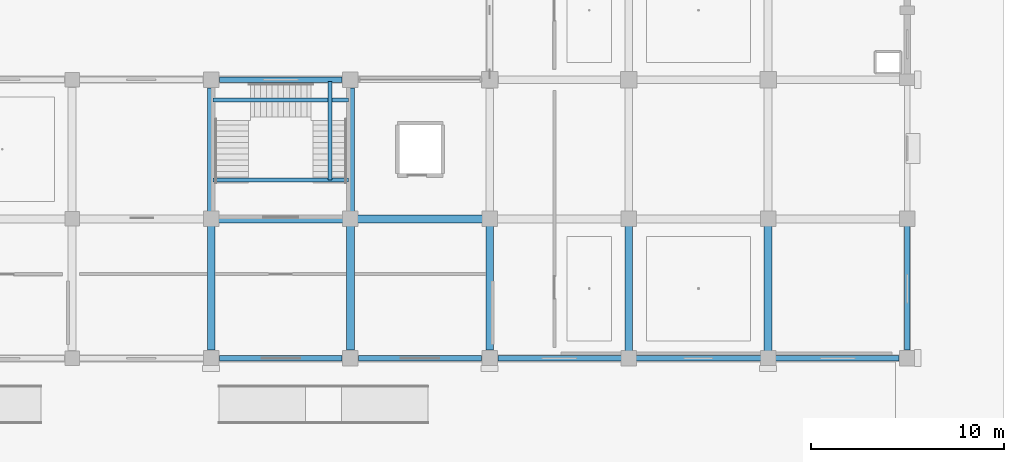
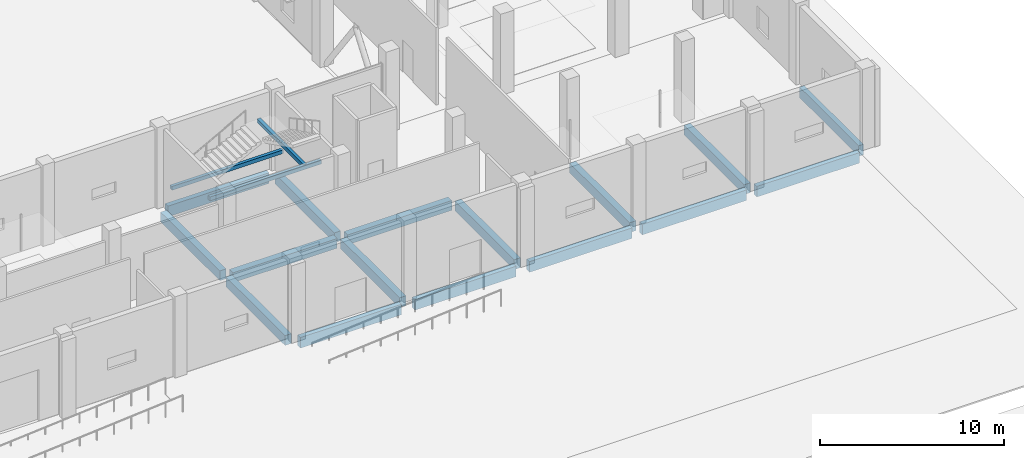
# One storey, part 37 of 90: 19 beams.
"""IFC4 building model written with IfcOpenShell, lengths in metres."""

from ifc_helpers import new_model, si_unit, direction, frame, origin, origin_2d, place, context, subcontext, project, spatial, rectangle, extrude, material, material_profile, profile_set, type_object, element, save


model = new_model("IFC4")

# Units and contexts
model_context = context("Model", 3, precision=1e-05, world=origin(), true_north=direction((0.0, 1.0)))
body_context = subcontext(model_context, "Body", "Model", "MODEL_VIEW")
ifc_project = project(units=[si_unit("LENGTHUNIT", "METRE"), si_unit("AREAUNIT", "SQUARE_METRE"), si_unit("VOLUMEUNIT", "CUBIC_METRE"), si_unit("PLANEANGLEUNIT", "RADIAN"), si_unit("MASSUNIT", "GRAM", prefix="KILO")], contexts=[model_context])

# Site, building, storey
site_placement = place(None, origin())
site = spatial("IfcSite", under=ifc_project, at=site_placement, CompositionType="ELEMENT")
building_placement = place(site_placement, origin())
building = spatial("IfcBuilding", under=site, at=building_placement, Name="Kangsadwip Square Police Headquarters", CompositionType="ELEMENT")
storey_placement = place(building_placement, origin())
storey = spatial("IfcBuildingStorey", under=building, at=storey_placement, Name="L00", CompositionType="ELEMENT", Elevation=0.0)

# Beams
ifc_material_1 = material(Name="Concrete M35 (35 MPa)", Category="concrete")
ifc_material_profile_1 = material_profile(ifc_material_1, rectangle(XDim=0.39990234375, YDim=0.64990234375, at=origin_2d()), Name="RC BM 650X400")
ifc_profile_set_1 = profile_set([ifc_material_profile_1], Name="Concrete M35 (35 MPa)")
beam_type_1 = type_object("IfcBeamType", Name="RcBeam650x400", PredefinedType="BEAM", material=ifc_profile_set_1)
for number, where, z_axis, x_axis, name in (
    (1, (129.925048828125, 28.800048828125, -0.574951171875), (1.0, 0.0, 0.0), (0.0, 1.0, 0.0), "Beam BM-L00-X-18-04"),
    (2, (137.125, 28.800048828125, -0.574951171875), (1.0, 0.0, 0.0), (0.0, 1.0, 0.0), "Beam BM-L00-X-19-04"),
):
    element("IfcBeam", number, at=place(storey_placement, frame(where, z_axis=z_axis, x_axis=x_axis)), inside=storey, type_object=beam_type_1, Name=name, PredefinedType="BEAM", context=body_context, shape_type="SweptSolid", body=[
        extrude(rectangle(XDim=0.39990234375, YDim=0.64990234375, at=origin_2d()), origin(), (0.0, 0.0, 1.0), 6.550048828125),
    ])
beam_1_placement = place(storey_placement, frame((129.60009765625, 22.02490234375, -0.574951171875), z_axis=(0.0, 1.0, 0.0), x_axis=(-1.0, 0.0, 0.0)))
element("IfcBeam", 3, at=beam_1_placement, inside=storey, type_object=beam_type_1, Name="Beam BM-L00-Y-18-03", PredefinedType="BEAM", context=body_context, shape_type="SweptSolid", body=[
    extrude(rectangle(XDim=0.39990234375, YDim=0.64990234375, at=origin_2d()), origin(), (0.0, 0.0, 1.0), 6.4501953125),
])
beam_2_placement = place(storey_placement, frame((129.60009765625, 29.125, -0.574951171875), z_axis=(0.0, 1.0, 0.0), x_axis=(-1.0, 0.0, 0.0)))
element("IfcBeam", 4, at=beam_2_placement, inside=storey, type_object=beam_type_1, Name="Beam BM-L00-Y-18-04", PredefinedType="BEAM", context=body_context, shape_type="SweptSolid", body=[
    extrude(rectangle(XDim=0.39990234375, YDim=0.64990234375, at=origin_2d()), origin(), (0.0, 0.0, 1.0), 6.449951171875),
])
beam_3_placement = place(storey_placement, frame((136.800048828125, 22.02490234375, -0.574951171875), z_axis=(0.0, 1.0, 0.0), x_axis=(-1.0, 0.0, 0.0)))
element("IfcBeam", 5, at=beam_3_placement, inside=storey, type_object=beam_type_1, Name="Beam BM-L00-Y-19-03", PredefinedType="BEAM", context=body_context, shape_type="SweptSolid", body=[
    extrude(rectangle(XDim=0.39990234375, YDim=0.64990234375, at=origin_2d()), origin(), (0.0, 0.0, 1.0), 6.4501953125),
])
beam_4_placement = place(storey_placement, frame((136.800048828125, 29.125, -0.574951171875), z_axis=(0.0, 1.0, 0.0), x_axis=(-1.0, 0.0, 0.0)))
element("IfcBeam", 6, at=beam_4_placement, inside=storey, type_object=beam_type_1, Name="Beam BM-L00-Y-19-04", PredefinedType="BEAM", context=body_context, shape_type="SweptSolid", body=[
    extrude(rectangle(XDim=0.39990234375, YDim=0.64990234375, at=origin_2d()), origin(), (0.0, 0.0, 1.0), 6.449951171875),
])
beam_5_placement = place(storey_placement, frame((144.0, 22.02490234375, -0.574951171875), z_axis=(0.0, 1.0, 0.0), x_axis=(-1.0, 0.0, 0.0)))
element("IfcBeam", 7, at=beam_5_placement, inside=storey, type_object=beam_type_1, Name="Beam BM-L00-Y-20-03", PredefinedType="BEAM", context=body_context, shape_type="SweptSolid", body=[
    extrude(rectangle(XDim=0.39990234375, YDim=0.64990234375, at=origin_2d()), origin(), (0.0, 0.0, 1.0), 6.4501953125),
])
for number, where, z_axis, x_axis, name in (
    (8, (151.199951171875, 21.925048828125, -0.574951171875), (0.0, 1.0, 0.0), (-1.0, 0.0, 0.0), "Beam BM-L00-Y-21-03"),
    (9, (158.39990234375, 21.925048828125, -0.574951171875), (0.0, 1.0, 0.0), (-1.0, 0.0, 0.0), "Beam BM-L00-Y-22-03"),
):
    element("IfcBeam", number, at=place(storey_placement, frame(where, z_axis=z_axis, x_axis=x_axis)), inside=storey, type_object=beam_type_1, Name=name, PredefinedType="BEAM", context=body_context, shape_type="SweptSolid", body=[
        extrude(rectangle(XDim=0.39990234375, YDim=0.64990234375, at=origin_2d()), origin(), (0.0, 0.0, 1.0), 6.550048828125),
    ])
ifc_material_2 = material(Name="Concrete M30 (30 MPa)", Category="concrete")
ifc_material_profile_2 = material_profile(ifc_material_2, rectangle(XDim=0.199951171875, YDim=0.25, at=origin_2d()), Name="RC LNT 250X200")
ifc_profile_set_2 = profile_set([ifc_material_profile_2], Name="Concrete M30 (30 MPa)")
beam_type_2 = type_object("IfcBeamType", Name="RcLintel250x200", PredefinedType="LINTEL", material=ifc_profile_set_2)
for number, where, z_axis, x_axis, name in (
    (10, (129.699951171875, 34.945068359375, 1.655029296875), (1.0, 0.0, 0.0), (0.0, 1.0, 0.0), "Stair Carriage and Landing Beam BM-ST-L00-078"),
    (11, (129.699951171875, 30.820068359375, 3.455078125), (1.0, 0.0, 0.0), (0.0, 1.0, 0.0), "Stair Carriage and Landing Beam BM-ST-L00-079"),
):
    element("IfcBeam", number, at=place(storey_placement, frame(where, z_axis=z_axis, x_axis=x_axis)), inside=storey, type_object=beam_type_2, Name=name, PredefinedType="BEAM", context=body_context, shape_type="SweptSolid", body=[
        extrude(rectangle(XDim=0.199951171875, YDim=0.25, at=origin_2d()), origin(), (0.0, 0.0, 1.0), 7.0),
    ])
beam_6_placement = place(storey_placement, frame((135.7451171875, 30.820068359375, 3.455078125), z_axis=(0.0, 1.0, 0.0), x_axis=(-1.0, 0.0, 0.0)))
element("IfcBeam", 12, at=beam_6_placement, inside=storey, type_object=beam_type_2, Name="Stair Carriage and Landing Beam BM-ST-L00-080", PredefinedType="BEAM", context=body_context, shape_type="SweptSolid", body=[
    extrude(rectangle(XDim=0.199951171875, YDim=0.25, at=origin_2d()), origin(), (0.0, 0.0, 1.0), 5.079833984375),
])
ifc_material_3 = material(Name="Concrete M40 (40 MPa)", Category="concrete")
ifc_material_profile_3 = material_profile(ifc_material_3, rectangle(XDim=0.300048828125, YDim=0.699951171875, at=origin_2d()), Name="RC SPN 700X300")
ifc_profile_set_3 = profile_set([ifc_material_profile_3], Name="Concrete M40 (40 MPa)")
beam_type_3 = type_object("IfcBeamType", Name="RcSpandrel700x300", PredefinedType="SPANDREL", material=ifc_profile_set_3)
beam_7_placement = place(storey_placement, frame((130.02490234375, 21.60009765625, -0.60009765625), z_axis=(1.0, 0.0, 0.0), x_axis=(0.0, 1.0, 0.0)))
element("IfcBeam", 13, at=beam_7_placement, inside=storey, type_object=beam_type_3, Name="Beam BM-L00-X-18-03", PredefinedType="SPANDREL", context=body_context, shape_type="SweptSolid", body=[
    extrude(rectangle(XDim=0.300048828125, YDim=0.699951171875, at=origin_2d()), origin(), (0.0, 0.0, 1.0), 6.35009765625),
])
beam_8_placement = place(storey_placement, frame((137.22509765625, 21.60009765625, -0.60009765625), z_axis=(1.0, 0.0, 0.0), x_axis=(0.0, 1.0, 0.0)))
element("IfcBeam", 14, at=beam_8_placement, inside=storey, type_object=beam_type_3, Name="Beam BM-L00-X-19-03", PredefinedType="SPANDREL", context=body_context, shape_type="SweptSolid", body=[
    extrude(rectangle(XDim=0.300048828125, YDim=0.699951171875, at=origin_2d()), origin(), (0.0, 0.0, 1.0), 6.349853515625),
])
beam_9_placement = place(storey_placement, frame((144.425048828125, 21.60009765625, -0.60009765625), z_axis=(1.0, 0.0, 0.0), x_axis=(0.0, 1.0, 0.0)))
element("IfcBeam", 15, at=beam_9_placement, inside=storey, type_object=beam_type_3, Name="Beam BM-L00-X-20-03", PredefinedType="SPANDREL", context=body_context, shape_type="SweptSolid", body=[
    extrude(rectangle(XDim=0.300048828125, YDim=0.699951171875, at=origin_2d()), origin(), (0.0, 0.0, 1.0), 6.449951171875),
])
beam_10_placement = place(storey_placement, frame((151.52490234375, 21.60009765625, -0.60009765625), z_axis=(1.0, 0.0, 0.0), x_axis=(0.0, 1.0, 0.0)))
element("IfcBeam", 16, at=beam_10_placement, inside=storey, type_object=beam_type_3, Name="Beam BM-L00-X-21-03", PredefinedType="SPANDREL", context=body_context, shape_type="SweptSolid", body=[
    extrude(rectangle(XDim=0.300048828125, YDim=0.699951171875, at=origin_2d()), origin(), (0.0, 0.0, 1.0), 6.550048828125),
])
beam_11_placement = place(storey_placement, frame((158.72509765625, 21.60009765625, -0.60009765625), z_axis=(1.0, 0.0, 0.0), x_axis=(0.0, 1.0, 0.0)))
element("IfcBeam", 17, at=beam_11_placement, inside=storey, type_object=beam_type_3, Name="Beam BM-L00-X-22-03", PredefinedType="SPANDREL", context=body_context, shape_type="SweptSolid", body=[
    extrude(rectangle(XDim=0.300048828125, YDim=0.699951171875, at=origin_2d()), origin(), (0.0, 0.0, 1.0), 6.449951171875),
])
beam_12_placement = place(storey_placement, frame((130.02490234375, 36.0, -0.60009765625), z_axis=(1.0, 0.0, 0.0), x_axis=(0.0, 1.0, 0.0)))
element("IfcBeam", 18, at=beam_12_placement, inside=storey, type_object=beam_type_3, Name="Beam BM-L00-X-18-05", PredefinedType="SPANDREL", context=body_context, shape_type="SweptSolid", body=[
    extrude(rectangle(XDim=0.300048828125, YDim=0.699951171875, at=origin_2d()), origin(), (0.0, 0.0, 1.0), 6.35009765625),
])
beam_13_placement = place(storey_placement, frame((165.60009765625, 22.02490234375, -0.60009765625), z_axis=(0.0, 1.0, 0.0), x_axis=(-1.0, 0.0, 0.0)))
element("IfcBeam", 19, at=beam_13_placement, inside=storey, type_object=beam_type_3, Name="Beam BM-L00-Y-23-03", PredefinedType="SPANDREL", context=body_context, shape_type="SweptSolid", body=[
    extrude(rectangle(XDim=0.300048828125, YDim=0.699951171875, at=origin_2d()), origin(), (0.0, 0.0, 1.0), 6.4501953125),
])

save(model, "model.ifc")
